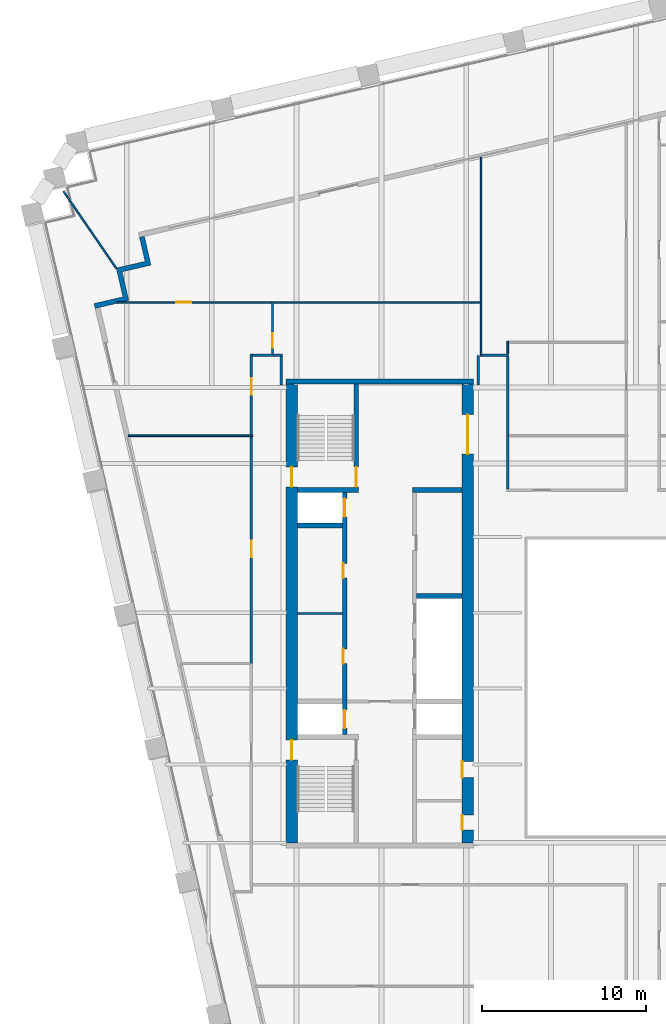
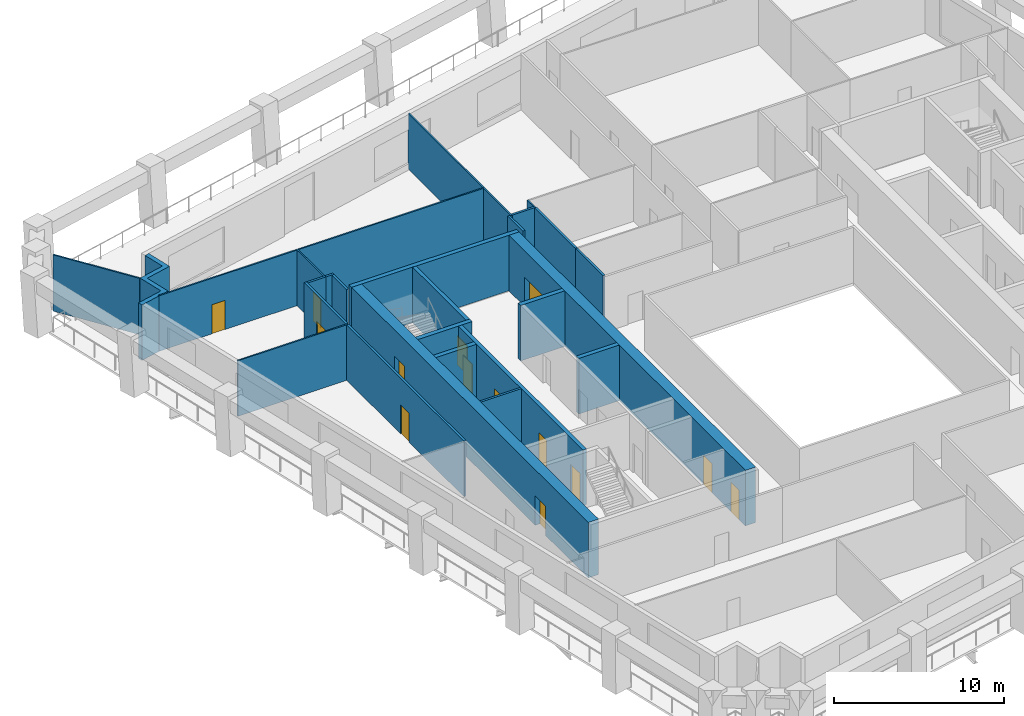
# One storey, part 6 of 11: 28 walls, 14 doors, 14 openings.
"""IFC4 building model written with IfcOpenShell, lengths in metres."""

from ifc_helpers import new_model, si_unit, direction, frame, frame_2d, origin, place, context, subcontext, project, spatial, polyline, rectangle, outline, extrude, material, layer, layer_set, type_object, element, fill, save


model = new_model("IFC4")

# Units and contexts
model_context = context("Model", 3, precision=1e-05, world=origin(), true_north=direction((0.0, 1.0)))
body_context = subcontext(model_context, "Body", "Model", "MODEL_VIEW")
ifc_project = project(units=[si_unit("LENGTHUNIT", "METRE"), si_unit("AREAUNIT", "SQUARE_METRE"), si_unit("VOLUMEUNIT", "CUBIC_METRE"), si_unit("PLANEANGLEUNIT", "RADIAN"), si_unit("MASSUNIT", "GRAM", prefix="KILO")], contexts=[model_context])

# Site, building, storey
site_placement = place(None, origin())
site = spatial("IfcSite", under=ifc_project, at=site_placement, CompositionType="ELEMENT")
building_placement = place(site_placement, origin())
building = spatial("IfcBuilding", under=site, at=building_placement, Name="Ogive Exchange Tower", CompositionType="ELEMENT")
storey_placement = place(building_placement, frame((0.0, 0.0, 209.39990234375)))
storey = spatial("IfcBuildingStorey", under=building, at=storey_placement, Name="L46", CompositionType="ELEMENT", Elevation=209.39990234375)

# Walls
ifc_material_1 = material(Name="Gypsum board partition")
ifc_layer_1 = layer(ifc_material_1, 0.14990234375)
ifc_layer_set_1 = layer_set([ifc_layer_1], Name="Core room partition 150 gypsum")
wall_type_1 = type_object("IfcWallType", Name="Core room partition 150 gypsum", PredefinedType="PARTITIONING", material=ifc_layer_set_1)
wall_1_placement = place(storey_placement, frame((-21.0, 11.5, 0.0), z_axis=(0.0, 0.0, 1.0), x_axis=(1.0, 0.0, 0.0)))
element("IfcWall", 1, at=wall_1_placement, inside=storey, type_object=wall_type_1, Name="W row A bay partition 1-1", PredefinedType="PARTITIONING", context=body_context, shape_type="SweptSolid", body=[
    extrude(rectangle(XDim=2.75, YDim=0.14990234375, at=frame_2d((1.375, 0.0))), origin(), (0.0, 0.0, 1.0), 4.0),
])
ifc_layer_2 = layer(ifc_material_1, 0.300048828125)
ifc_layer_set_2 = layer_set([ifc_layer_2], Name="Core room partition 300 gypsum")
wall_type_2 = type_object("IfcWallType", Name="Core room partition 300 gypsum", PredefinedType="PARTITIONING", material=ifc_layer_set_2)
wall_2_placement = place(storey_placement, frame((-14.0, 19.0, 0.0), z_axis=(0.0, 0.0, 1.0), x_axis=(1.0, 0.0, 0.0)))
element("IfcWall", 2, at=wall_2_placement, inside=storey, type_object=wall_type_2, Name="W row B room end wall 7", PredefinedType="PARTITIONING", context=body_context, shape_type="SweptSolid", body=[
    extrude(rectangle(XDim=3.0, YDim=0.300048828125, at=frame_2d((1.5, 0.0))), origin(), (0.0, 0.0, 1.0), 4.0),
])

# Wall, opening, door
ifc_material_2 = material(Name="Fire partition EI 60 150")
ifc_layer_3 = layer(ifc_material_2, 0.14990234375)
ifc_layer_set_3 = layer_set([ifc_layer_3], Name="Fire partition EI 60 150")
wall_type_3 = type_object("IfcWallType", Name="Fire partition EI 60 150", PredefinedType="PARTITIONING", material=ifc_layer_set_3)
wall_3_placement = place(storey_placement, frame((-23.800048828125, 8.449951171875, 0.0), z_axis=(0.0, 0.0, 1.0), x_axis=(0.0, 1.0, 0.0)))
wall_3 = element("IfcWall", 3, at=wall_3_placement, inside=storey, type_object=wall_type_3, Name="L46-PWL-004", PredefinedType="PARTITIONING", context=body_context, shape_type="SweptSolid", body=[
    extrude(rectangle(XDim=13.81005859375, YDim=0.14990234375, at=frame_2d((6.905029296875, 0.0))), origin(), (0.0, 0.0, 1.0), 4.0),
])
opening_1_placement = place(wall_3_placement, frame((6.4599609375, 0.0, 0.0)))
opening_1 = element("IfcOpeningElement", 4, at=opening_1_placement, cuts=wall_3, Name="Opening L46-I01", PredefinedType="OPENING", context=body_context, shape_type="SweptSolid", body=[
    extrude(rectangle(XDim=1.0, YDim=2.10009765625, at=frame_2d((0.5, 1.050048828125))), frame((0.0, 0.0849609375, 0.0), z_axis=(0.0, -1.0, 0.0), x_axis=(1.0, 0.0, 0.0)), (0.0, 0.0, 1.0), 0.169921875),
])
ifc_material_3 = material(Name="Fire door FD 30S 1000 x 2100")
door_type_1 = type_object("IfcDoorType", Name="Fire door FD 30S 1000 x 2100", OperationType="NOTDEFINED", PredefinedType="DOOR", material=ifc_material_3)
door_1_placement = place(opening_1_placement, origin())
door_1 = element("IfcDoor", 5, at=door_1_placement, inside=storey, type_object=door_type_1, Name="L46-IDR-001", ObjectType="DT3", OperationType="SINGLE_SWING_LEFT", OverallHeight=2.10009765625, OverallWidth=1.0, PredefinedType="DOOR", context=body_context, shape_type="SweptSolid", body=[
    extrude(rectangle(XDim=1.0, YDim=2.10009765625, at=frame_2d((0.5, 1.050048828125))), frame((0.0, 0.02490234375, 0.0), z_axis=(0.0, -1.0, 0.0), x_axis=(1.0, 0.0, 0.0)), (0.0, 0.0, 1.0), 0.050048828125),
])
fill(opening_1, door_1)

wall_4_placement = place(storey_placement, frame((-23.800048828125, 22.360107421875, 0.0), z_axis=(0.0, 0.0, 1.0), x_axis=(0.0, 1.0, 0.0)))
wall_4 = element("IfcWall", 6, at=wall_4_placement, inside=storey, type_object=wall_type_3, Name="L46-PWL-005", PredefinedType="PARTITIONING", context=body_context, shape_type="SweptSolid", body=[
    extrude(rectangle(XDim=4.914794921875, YDim=0.14990234375, at=frame_2d((2.45751953125, 0.0))), origin(), (0.0, 0.0, 1.0), 4.0),
])
opening_2_placement = place(wall_4_placement, frame((2.43994140625, 0.0, 0.0)))
opening_2 = element("IfcOpeningElement", 7, at=opening_2_placement, cuts=wall_4, Name="Opening L46-I07", PredefinedType="OPENING", context=body_context, shape_type="SweptSolid", body=[
    extrude(rectangle(XDim=1.0, YDim=2.10009765625, at=frame_2d((0.5, 1.050048828125))), frame((0.0, 0.0849609375, 0.0), z_axis=(0.0, -1.0, 0.0), x_axis=(1.0, 0.0, 0.0)), (0.0, 0.0, 1.0), 0.169921875),
])
door_2_placement = place(opening_2_placement, origin())
door_2 = element("IfcDoor", 8, at=door_2_placement, inside=storey, type_object=door_type_1, Name="L46-IDR-007", ObjectType="DT3", OperationType="SINGLE_SWING_RIGHT", OverallHeight=2.10009765625, OverallWidth=1.0, PredefinedType="DOOR", context=body_context, shape_type="SweptSolid", body=[
    extrude(rectangle(XDim=1.0, YDim=2.10009765625, at=frame_2d((0.5, 1.050048828125))), frame((0.0, 0.02490234375, 0.0), z_axis=(0.0, -1.0, 0.0), x_axis=(1.0, 0.0, 0.0)), (0.0, 0.0, 1.0), 0.050048828125),
])
fill(opening_2, door_2)

# Walls
wall_5_placement = place(storey_placement, frame((-23.72509765625, 27.199951171875, 0.0), z_axis=(0.0, 0.0, 1.0), x_axis=(1.0, 0.0, 0.0)))
element("IfcWall", 9, at=wall_5_placement, inside=storey, type_object=wall_type_3, Name="L46-PWL-006", PredefinedType="PARTITIONING", context=body_context, shape_type="SweptSolid", body=[
    extrude(rectangle(XDim=1.255126953125, YDim=0.14990234375, at=frame_2d((0.62744140625, 0.0))), origin(), (0.0, 0.0, 1.0), 4.0),
])
wall_6_placement = place(storey_placement, frame((-22.469970703125, 27.199951171875, 0.0), z_axis=(0.0, 0.0, 1.0), x_axis=(1.0, 0.0, 0.0)))
element("IfcWall", 10, at=wall_6_placement, inside=storey, type_object=wall_type_3, Name="L46-PWL-010", PredefinedType="PARTITIONING", context=body_context, shape_type="SweptSolid", body=[
    extrude(rectangle(XDim=0.544921875, YDim=0.14990234375, at=frame_2d((0.2724609375, 0.0))), origin(), (0.0, 0.0, 1.0), 4.0),
])
wall_7_placement = place(storey_placement, frame((-22.0, 27.125, 0.0), z_axis=(0.0, 0.0, 1.0), x_axis=(0.0, -1.0, 0.0)))
element("IfcWall", 11, at=wall_7_placement, inside=storey, type_object=wall_type_3, Name="L46-PWL-012", PredefinedType="PARTITIONING", context=body_context, shape_type="SweptSolid", body=[
    extrude(rectangle(XDim=1.72509765625, YDim=0.14990234375, at=frame_2d((0.862548828125, 0.0))), origin(), (0.0, 0.0, 1.0), 4.0),
])
wall_8_placement = place(storey_placement, frame((-10.0, 25.39990234375, 0.0), z_axis=(0.0, 0.0, 1.0), x_axis=(0.0, 1.0, 0.0)))
element("IfcWall", 12, at=wall_8_placement, inside=storey, type_object=wall_type_3, Name="L46-PWL-014", PredefinedType="PARTITIONING", context=body_context, shape_type="SweptSolid", body=[
    extrude(rectangle(XDim=1.800048828125, YDim=0.14990234375, at=frame_2d((0.89990234375, 0.0))), origin(), (0.0, 0.0, 1.0), 4.0),
])
wall_9_placement = place(storey_placement, frame((-9.780029296875, 27.2099609375, 0.0), z_axis=(0.0, 0.0, 1.0), x_axis=(1.0, 0.0, 0.0)))
element("IfcWall", 13, at=wall_9_placement, inside=storey, type_object=wall_type_3, Name="L46-PWL-018", PredefinedType="PARTITIONING", context=body_context, shape_type="SweptSolid", body=[
    extrude(rectangle(XDim=1.6201171875, YDim=0.14990234375, at=frame_2d((0.81005859375, 0.0))), origin(), (0.0, 0.0, 1.0), 4.0),
])
wall_10_placement = place(storey_placement, frame((-8.199951171875, 22.31005859375, 0.0), z_axis=(0.0, 0.0, 1.0), x_axis=(0.0, -1.0, 0.0)))
element("IfcWall", 14, at=wall_10_placement, inside=storey, type_object=wall_type_3, Name="L46-PWL-024", PredefinedType="PARTITIONING", context=body_context, shape_type="SweptSolid", body=[
    extrude(rectangle(XDim=3.235107421875, YDim=0.14990234375, at=frame_2d((1.61767578125, 0.0))), origin(), (0.0, 0.0, 1.0), 4.0),
])
wall_11_placement = place(storey_placement, frame((-8.199951171875, 27.125, 0.0), z_axis=(0.0, 0.0, 1.0), x_axis=(0.0, -1.0, 0.0)))
element("IfcWall", 15, at=wall_11_placement, inside=storey, type_object=wall_type_3, Name="L46-PWL-026", PredefinedType="PARTITIONING", context=body_context, shape_type="SweptSolid", body=[
    extrude(rectangle(XDim=4.81494140625, YDim=0.14990234375, at=frame_2d((2.407470703125, 0.0))), origin(), (0.0, 0.0, 1.0), 4.0),
])
ifc_material_4 = material(Name="Precast concrete C40/50", Category="concrete")
ifc_layer_4 = layer(ifc_material_4, 0.300048828125)
ifc_layer_set_4 = layer_set([ifc_layer_4], Name="Limestone-faced wall 300")
wall_type_4 = type_object("IfcWallType", Name="Limestone-faced wall 300", PredefinedType="STANDARD", material=ifc_layer_set_4)
wall_12_placement = place(storey_placement, origin())
element("IfcWall", 16, at=wall_12_placement, inside=storey, type_object=wall_type_4, Name="External corner wall C3", PredefinedType="STANDARD", context=body_context, shape_type="SweptSolid", body=[
    extrude(outline(polyline([(-31.616943359375, 30.755615234375), (-32.02197265625, 32.509521484375), (-30.26806640625, 32.914306640625), (-30.60546875, 34.3759765625), (-30.31298828125, 34.443359375), (-29.908203125, 32.689697265625), (-31.662109375, 32.28466796875), (-31.257080078125, 30.53076171875), (-33.30322265625, 30.058349609375), (-33.370849609375, 30.3505859375), (-31.616943359375, 30.755615234375)])), origin(), (0.0, 0.0, 1.0), 4.0),
])
ifc_material_5 = material(Name="Laminated safety glass in steel frame", Category="steel")
ifc_layer_5 = layer(ifc_material_5, 0.10009765625)
ifc_layer_set_5 = layer_set([ifc_layer_5], Name="Loggia end screen 100")
wall_type_5 = type_object("IfcWallType", Name="Loggia end screen 100", PredefinedType="STANDARD", material=ifc_layer_set_5)
wall_13_placement = place(storey_placement, frame((-32.02197265625, 32.509521484375, -0.0498046875), z_axis=(0.0, 0.0, 1.0), x_axis=(-0.566963777768, 0.823742723609, 0.0)))
element("IfcWall", 17, at=wall_13_placement, inside=storey, type_object=wall_type_5, Name="Loggia end screen C3", PredefinedType="STANDARD", context=body_context, shape_type="SweptSolid", body=[
    extrude(rectangle(XDim=5.66845703125, YDim=0.10009765625, at=frame_2d((2.834228515625, 0.0))), origin(), (0.0, 0.0, 1.0), 4.0498046875),
])
ifc_material_6 = material(Name="Partition 100 gypsum")
ifc_layer_6 = layer(ifc_material_6, 0.10009765625)
ifc_layer_set_6 = layer_set([ifc_layer_6], Name="Partition 100 gypsum")
wall_type_6 = type_object("IfcWallType", Name="Partition 100 gypsum", PredefinedType="PARTITIONING", material=ifc_layer_set_6)
wall_14_placement = place(storey_placement, frame((-31.2890625, 22.31005859375, 0.0), z_axis=(0.0, 0.0, 1.0), x_axis=(1.0, 0.0, 0.0)))
element("IfcWall", 18, at=wall_14_placement, inside=storey, type_object=wall_type_6, Name="L46-PWL-001", PredefinedType="PARTITIONING", context=body_context, shape_type="SweptSolid", body=[
    extrude(rectangle(XDim=7.56396484375, YDim=0.10009765625, at=frame_2d((3.781982421875, 0.0))), origin(), (0.0, 0.0, 1.0), 4.0),
])

# Wall, opening, door
wall_15_placement = place(storey_placement, frame((-22.52001953125, 27.27490234375, 0.0), z_axis=(0.0, 0.0, 1.0), x_axis=(0.0, 1.0, 0.0)))
wall_15 = element("IfcWall", 19, at=wall_15_placement, inside=storey, type_object=wall_type_6, Name="L46-PWL-009", PredefinedType="PARTITIONING", context=body_context, shape_type="SweptSolid", body=[
    extrude(rectangle(XDim=3.195068359375, YDim=0.10009765625, at=frame_2d((1.59765625, 0.0))), origin(), (0.0, 0.0, 1.0), 4.0),
])
opening_3_placement = place(wall_15_placement, frame((0.375, 0.0, 0.0)))
opening_3 = element("IfcOpeningElement", 20, at=opening_3_placement, cuts=wall_15, Name="Opening L46-I06", PredefinedType="OPENING", context=body_context, shape_type="SweptSolid", body=[
    extrude(rectangle(XDim=0.89990234375, YDim=2.10009765625, at=frame_2d((0.449951171875, 1.050048828125))), frame((0.0, 0.06005859375, 0.0), z_axis=(0.0, -1.0, 0.0), x_axis=(1.0, 0.0, 0.0)), (0.0, 0.0, 1.0), 0.1201171875),
])
ifc_material_7 = material(Name="Door 900 x 2100")
door_type_2 = type_object("IfcDoorType", Name="Door 900 x 2100", OperationType="NOTDEFINED", PredefinedType="DOOR", material=ifc_material_7)
door_3_placement = place(opening_3_placement, frame((0.89990234375, 0.0, 0.0), z_axis=(0.0, 0.0, 1.0), x_axis=(-1.0, 0.0, 0.0)))
door_3 = element("IfcDoor", 21, at=door_3_placement, inside=storey, type_object=door_type_2, Name="L46-IDR-006", ObjectType="DT1", OperationType="SINGLE_SWING_LEFT", OverallHeight=2.10009765625, OverallWidth=0.89990234375, PredefinedType="DOOR", context=body_context, shape_type="SweptSolid", body=[
    extrude(rectangle(XDim=0.89990234375, YDim=2.10009765625, at=frame_2d((0.449951171875, 1.050048828125))), frame((0.0, 0.02490234375, 0.0), z_axis=(0.0, -1.0, 0.0), x_axis=(1.0, 0.0, 0.0)), (0.0, 0.0, 1.0), 0.050048828125),
])
fill(opening_3, door_3)

wall_16_placement = place(storey_placement, frame((-22.570068359375, 30.419921875, 0.0), z_axis=(0.0, 0.0, 1.0), x_axis=(-1.0, 0.0, 0.0)))
wall_16 = element("IfcWall", 22, at=wall_16_placement, inside=storey, type_object=wall_type_6, Name="L46-PWL-011", PredefinedType="PARTITIONING", context=body_context, shape_type="SweptSolid", body=[
    extrude(rectangle(XDim=9.411865234375, YDim=0.10009765625, at=frame_2d((4.7060546875, 0.0))), origin(), (0.0, 0.0, 1.0), 4.0),
])
opening_4_placement = place(wall_16_placement, frame((4.89990234375, 0.0, 0.0)))
opening_4 = element("IfcOpeningElement", 23, at=opening_4_placement, cuts=wall_16, Name="Opening L46-I05", PredefinedType="OPENING", context=body_context, shape_type="SweptSolid", body=[
    extrude(rectangle(XDim=0.89990234375, YDim=2.10009765625, at=frame_2d((0.449951171875, 1.050048828125))), frame((0.0, 0.06005859375, 0.0), z_axis=(0.0, -1.0, 0.0), x_axis=(1.0, 0.0, 0.0)), (0.0, 0.0, 1.0), 0.1201171875),
])
door_4_placement = place(opening_4_placement, origin())
door_4 = element("IfcDoor", 24, at=door_4_placement, inside=storey, type_object=door_type_2, Name="L46-IDR-005", ObjectType="DT1", OperationType="SINGLE_SWING_RIGHT", OverallHeight=2.10009765625, OverallWidth=0.89990234375, PredefinedType="DOOR", context=body_context, shape_type="SweptSolid", body=[
    extrude(rectangle(XDim=0.89990234375, YDim=2.10009765625, at=frame_2d((0.449951171875, 1.050048828125))), frame((0.0, 0.02490234375, 0.0), z_axis=(0.0, -1.0, 0.0), x_axis=(1.0, 0.0, 0.0)), (0.0, 0.0, 1.0), 0.050048828125),
])
fill(opening_4, door_4)

# Walls
wall_17_placement = place(storey_placement, frame((-9.830078125, 27.135009765625, 0.0), z_axis=(0.0, 0.0, 1.0), x_axis=(0.0, 1.0, 0.0)))
element("IfcWall", 25, at=wall_17_placement, inside=storey, type_object=wall_type_6, Name="L46-PWL-017", PredefinedType="PARTITIONING", context=body_context, shape_type="SweptSolid", body=[
    extrude(rectangle(XDim=3.3349609375, YDim=0.10009765625, at=frame_2d((1.66748046875, 0.0))), origin(), (0.0, 0.0, 1.0), 4.0),
])
wall_18_placement = place(storey_placement, frame((-9.8798828125, 30.419921875, 0.0), z_axis=(0.0, 0.0, 1.0), x_axis=(-1.0, 0.0, 0.0)))
element("IfcWall", 26, at=wall_18_placement, inside=storey, type_object=wall_type_6, Name="L46-PWL-019", PredefinedType="PARTITIONING", context=body_context, shape_type="SweptSolid", body=[
    extrude(rectangle(XDim=12.590087890625, YDim=0.10009765625, at=frame_2d((6.294921875, 0.0))), origin(), (0.0, 0.0, 1.0), 4.0),
])
wall_19_placement = place(storey_placement, frame((-9.830078125, 30.419921875, 0.0), z_axis=(0.0, 0.0, 1.0), x_axis=(0.0, 1.0, 0.0)))
element("IfcWall", 27, at=wall_19_placement, inside=storey, type_object=wall_type_6, Name="L46-PWL-020", PredefinedType="PARTITIONING", context=body_context, shape_type="SweptSolid", body=[
    extrude(rectangle(XDim=8.8349609375, YDim=0.10009765625, at=frame_2d((4.41748046875, 0.0))), origin(), (0.0, 0.0, 1.0), 4.0),
])
wall_20_placement = place(storey_placement, frame((-8.2099609375, 27.284912109375, 0.0), z_axis=(0.0, 0.0, 1.0), x_axis=(0.0, 1.0, 0.0)))
element("IfcWall", 28, at=wall_20_placement, inside=storey, type_object=wall_type_6, Name="L46-PWL-021", PredefinedType="PARTITIONING", context=body_context, shape_type="SweptSolid", body=[
    extrude(rectangle(XDim=0.76513671875, YDim=0.10009765625, at=frame_2d((0.382568359375, 0.0))), origin(), (0.0, 0.0, 1.0), 4.0),
])

# Wall, opening, door
ifc_material_8 = material(Name="Concrete C70/85", Category="concrete")
ifc_layer_7 = layer(ifc_material_8, 0.25)
ifc_layer_set_7 = layer_set([ifc_layer_7], Name="RC core wall 250 C70/85")
wall_type_7 = type_object("IfcWallType", Name="RC core wall 250 C70/85", PredefinedType="SHEAR", material=ifc_layer_set_7)
wall_21_placement = place(storey_placement, frame((-17.425048828125, 19.14990234375, 0.0), z_axis=(0.0, 0.0, 1.0), x_axis=(0.0, 1.0, 0.0)))
wall_21 = element("IfcWall", 29, at=wall_21_placement, inside=storey, type_object=wall_type_7, Name="W stair N front wall", PredefinedType="SHEAR", context=body_context, shape_type="SweptSolid", body=[
    extrude(rectangle(XDim=6.300048828125, YDim=0.25, at=frame_2d((3.14990234375, 0.0))), origin(), (0.0, 0.0, 1.0), 4.0),
])
opening_5_placement = place(wall_21_placement, frame((0.050048828125, 0.0, 0.0)))
opening_5 = element("IfcOpeningElement", 30, at=opening_5_placement, cuts=wall_21, Name="Opening L46-C14", PredefinedType="OPENING", context=body_context, shape_type="SweptSolid", body=[
    extrude(rectangle(XDim=1.199951171875, YDim=2.10009765625, at=frame_2d((0.60009765625, 1.050048828125))), frame((0.0, 0.135009765625, 0.0), z_axis=(0.0, -1.0, 0.0), x_axis=(1.0, 0.0, 0.0)), (0.0, 0.0, 1.0), 0.27001953125),
])
ifc_material_9 = material(Name="Steel fire door", Category="steel")
door_type_3 = type_object("IfcDoorType", Name="Stair door FD90 1200 x 2100", OperationType="NOTDEFINED", PredefinedType="DOOR", material=ifc_material_9)
door_5_placement = place(opening_5_placement, origin())
door_5 = element("IfcDoor", 31, at=door_5_placement, inside=storey, type_object=door_type_3, Name="Stair door", ObjectType="CD5", OperationType="SINGLE_SWING_RIGHT", OverallHeight=2.10009765625, OverallWidth=1.199951171875, PredefinedType="DOOR", context=body_context, shape_type="SweptSolid", body=[
    extrude(rectangle(XDim=1.199951171875, YDim=2.10009765625, at=frame_2d((0.60009765625, 1.050048828125))), frame((0.0, 0.02490234375, 0.0), z_axis=(0.0, -1.0, 0.0), x_axis=(1.0, 0.0, 0.0)), (0.0, 0.0, 1.0), 0.050048828125),
])
fill(opening_5, door_5)

# Wall, openings, doors
wall_22_placement = place(storey_placement, frame((-18.125, 4.14990234375, 0.0), z_axis=(0.0, 0.0, 1.0), x_axis=(0.0, 1.0, 0.0)))
wall_22 = element("IfcWall", 32, at=wall_22_placement, inside=storey, type_object=wall_type_7, Name="W row A front wall", PredefinedType="SHEAR", context=body_context, shape_type="SweptSolid", body=[
    extrude(rectangle(XDim=14.7001953125, YDim=0.25, at=frame_2d((7.35009765625, 0.0))), origin(), (0.0, 0.0, 1.0), 4.0),
])
opening_6_placement = place(wall_22_placement, frame((4.29638671875, 0.0, 0.0)))
opening_6 = element("IfcOpeningElement", 33, at=opening_6_placement, cuts=wall_22, Name="Opening L46-C01", PredefinedType="OPENING", context=body_context, shape_type="SweptSolid", body=[
    extrude(rectangle(XDim=0.89990234375, YDim=2.10009765625, at=frame_2d((0.449951171875, 1.050048828125))), frame((0.0, 0.135009765625, 0.0), z_axis=(0.0, -1.0, 0.0), x_axis=(1.0, 0.0, 0.0)), (0.0, 0.0, 1.0), 0.27001953125),
])
opening_7_placement = place(wall_22_placement, frame((9.503662109375, 0.0, 0.0)))
opening_7 = element("IfcOpeningElement", 34, at=opening_7_placement, cuts=wall_22, Name="Opening L46-C02", PredefinedType="OPENING", context=body_context, shape_type="SweptSolid", body=[
    extrude(rectangle(XDim=0.89990234375, YDim=2.10009765625, at=frame_2d((0.449951171875, 1.050048828125))), frame((0.0, 0.135009765625, 0.0), z_axis=(0.0, -1.0, 0.0), x_axis=(1.0, 0.0, 0.0)), (0.0, 0.0, 1.0), 0.27001953125),
])
opening_8_placement = place(wall_22_placement, frame((0.371337890625, 0.0, 0.0)))
opening_8 = element("IfcOpeningElement", 35, at=opening_8_placement, cuts=wall_22, Name="Opening L46-C03", PredefinedType="OPENING", context=body_context, shape_type="SweptSolid", body=[
    extrude(rectangle(XDim=1.10009765625, YDim=2.10009765625, at=frame_2d((0.550048828125, 1.050048828125))), frame((0.0, 0.135009765625, 0.0), z_axis=(0.0, -1.0, 0.0), x_axis=(1.0, 0.0, 0.0)), (0.0, 0.0, 1.0), 0.27001953125),
])
opening_9_placement = place(wall_22_placement, frame((13.228515625, 0.0, 0.0)))
opening_9 = element("IfcOpeningElement", 36, at=opening_9_placement, cuts=wall_22, Name="Opening L46-C04", PredefinedType="OPENING", context=body_context, shape_type="SweptSolid", body=[
    extrude(rectangle(XDim=1.10009765625, YDim=2.10009765625, at=frame_2d((0.550048828125, 1.050048828125))), frame((0.0, 0.135009765625, 0.0), z_axis=(0.0, -1.0, 0.0), x_axis=(1.0, 0.0, 0.0)), (0.0, 0.0, 1.0), 0.27001953125),
])
ifc_material_10 = material(Name="Stainless steel", Category="steel")
door_type_4 = type_object("IfcDoorType", Name="Lift landing door FD90 1100 x 2100", OperationType="SLIDING_TO_LEFT", PredefinedType="DOOR", material=ifc_material_10)
door_6_placement = place(opening_8_placement, origin())
door_6 = element("IfcDoor", 37, at=door_6_placement, inside=storey, type_object=door_type_4, Name="Lift landing door FF1", ObjectType="LD", OperationType="SLIDING_TO_LEFT", OverallHeight=2.10009765625, OverallWidth=1.10009765625, PredefinedType="DOOR", context=body_context, shape_type="SweptSolid", body=[
    extrude(rectangle(XDim=1.10009765625, YDim=2.10009765625, at=frame_2d((0.550048828125, 1.050048828125))), frame((0.0, 0.02490234375, 0.0), z_axis=(0.0, -1.0, 0.0), x_axis=(1.0, 0.0, 0.0)), (0.0, 0.0, 1.0), 0.050048828125),
])
fill(opening_8, door_6)
door_7_placement = place(opening_9_placement, origin())
door_7 = element("IfcDoor", 38, at=door_7_placement, inside=storey, type_object=door_type_4, Name="Lift landing door W-SH2", ObjectType="LD", OperationType="SLIDING_TO_LEFT", OverallHeight=2.10009765625, OverallWidth=1.10009765625, PredefinedType="DOOR", context=body_context, shape_type="SweptSolid", body=[
    extrude(rectangle(XDim=1.10009765625, YDim=2.10009765625, at=frame_2d((0.550048828125, 1.050048828125))), frame((0.0, 0.02490234375, 0.0), z_axis=(0.0, -1.0, 0.0), x_axis=(1.0, 0.0, 0.0)), (0.0, 0.0, 1.0), 0.050048828125),
])
fill(opening_9, door_7)
door_type_5 = type_object("IfcDoorType", Name="Riser door FD60 900 x 2100", OperationType="NOTDEFINED", PredefinedType="DOOR", material=ifc_material_9)
door_8_placement = place(opening_6_placement, origin())
door_8 = element("IfcDoor", 39, at=door_8_placement, inside=storey, type_object=door_type_5, Name="Riser door", ObjectType="CD2", OperationType="SINGLE_SWING_LEFT", OverallHeight=2.10009765625, OverallWidth=0.89990234375, PredefinedType="DOOR", context=body_context, shape_type="SweptSolid", body=[
    extrude(rectangle(XDim=0.89990234375, YDim=2.10009765625, at=frame_2d((0.449951171875, 1.050048828125))), frame((0.0, 0.125, 0.0), z_axis=(0.0, -1.0, 0.0), x_axis=(1.0, 0.0, 0.0)), (0.0, 0.0, 1.0), 0.050048828125),
])
fill(opening_6, door_8)
door_9_placement = place(opening_7_placement, origin())
door_9 = element("IfcDoor", 40, at=door_9_placement, inside=storey, type_object=door_type_5, Name="Riser door", ObjectType="CD2", OperationType="SINGLE_SWING_LEFT", OverallHeight=2.10009765625, OverallWidth=0.89990234375, PredefinedType="DOOR", context=body_context, shape_type="SweptSolid", body=[
    extrude(rectangle(XDim=0.89990234375, YDim=2.10009765625, at=frame_2d((0.449951171875, 1.050048828125))), frame((0.0, 0.125, 0.0), z_axis=(0.0, -1.0, 0.0), x_axis=(1.0, 0.0, 0.0)), (0.0, 0.0, 1.0), 0.050048828125),
])
fill(opening_7, door_9)

# Walls
ifc_layer_8 = layer(ifc_material_8, 0.300048828125)
ifc_layer_set_8 = layer_set([ifc_layer_8], Name="RC core wall 300 C70/85")
wall_type_8 = type_object("IfcWallType", Name="RC core wall 300 C70/85", PredefinedType="SHEAR", material=ifc_layer_set_8)
wall_23_placement = place(storey_placement, frame((-21.699951171875, 25.60009765625, 0.0), z_axis=(0.0, 0.0, 1.0), x_axis=(1.0, 0.0, 0.0)))
element("IfcWall", 41, at=wall_23_placement, inside=storey, type_object=wall_type_8, Name="W north end wall", PredefinedType="SHEAR", context=body_context, shape_type="SweptSolid", body=[
    extrude(rectangle(XDim=11.39990234375, YDim=0.300048828125, at=frame_2d((5.699951171875, 0.0))), origin(), (0.0, 0.0, 1.0), 4.0),
])
wall_24_placement = place(storey_placement, frame((-21.0, 19.0, 0.0), z_axis=(0.0, 0.0, 1.0), x_axis=(1.0, 0.0, 0.0)))
element("IfcWall", 42, at=wall_24_placement, inside=storey, type_object=wall_type_8, Name="W stair N south wall", PredefinedType="SHEAR", context=body_context, shape_type="SweptSolid", body=[
    extrude(rectangle(XDim=3.699951171875, YDim=0.300048828125, at=frame_2d((1.85009765625, 0.0))), origin(), (0.0, 0.0, 1.0), 4.0),
])
for number, where, z_axis, x_axis, name in (
    (43, (-21.0, 16.857177734375, 0.0), (0.0, 0.0, 1.0), (1.0, 0.0, 0.0), "W row A divider 6"),
    (44, (-13.75, 12.5712890625, 0.0), (0.0, 0.0, 1.0), (1.0, 0.0, 0.0), "W row B divider 4"),
):
    element("IfcWall", number, at=place(storey_placement, frame(where, z_axis=z_axis, x_axis=x_axis)), inside=storey, type_object=wall_type_8, Name=name, PredefinedType="SHEAR", context=body_context, shape_type="SweptSolid", body=[
        extrude(rectangle(XDim=2.75, YDim=0.300048828125, at=frame_2d((1.375, 0.0))), origin(), (0.0, 0.0, 1.0), 4.0),
    ])

# Wall, openings, doors
ifc_layer_9 = layer(ifc_material_8, 0.699951171875)
ifc_layer_set_9 = layer_set([ifc_layer_9], Name="RC core wall 700 C70/85")
wall_type_9 = type_object("IfcWallType", Name="RC core wall 700 C70/85", PredefinedType="SHEAR", material=ifc_layer_set_9)
wall_25_placement = place(storey_placement, frame((-21.35009765625, -2.449951171875, 0.0), z_axis=(0.0, 0.0, 1.0), x_axis=(0.0, 1.0, 0.0)))
wall_25 = element("IfcWall", 45, at=wall_25_placement, inside=storey, type_object=wall_type_9, Name="W outer wall", PredefinedType="SHEAR", context=body_context, shape_type="SweptSolid", body=[
    extrude(rectangle(XDim=27.89990234375, YDim=0.699951171875, at=frame_2d((13.949951171875, 0.0))), origin(), (0.0, 0.0, 1.0), 4.0),
])
opening_10_placement = place(wall_25_placement, frame((5.050048828125, 0.0, 0.0)))
opening_10 = element("IfcOpeningElement", 46, at=opening_10_placement, cuts=wall_25, Name="Opening L46-C13", PredefinedType="OPENING", context=body_context, shape_type="SweptSolid", body=[
    extrude(rectangle(XDim=1.199951171875, YDim=2.10009765625, at=frame_2d((0.60009765625, 1.050048828125))), frame((0.0, 0.35986328125, 0.0), z_axis=(0.0, -1.0, 0.0), x_axis=(1.0, 0.0, 0.0)), (0.0, 0.0, 1.0), 0.719970703125),
])
opening_11_placement = place(wall_25_placement, frame((21.64990234375, 0.0, 0.0)))
opening_11 = element("IfcOpeningElement", 47, at=opening_11_placement, cuts=wall_25, Name="Opening L46-C15", PredefinedType="OPENING", context=body_context, shape_type="SweptSolid", body=[
    extrude(rectangle(XDim=1.199951171875, YDim=2.10009765625, at=frame_2d((0.60009765625, 1.050048828125))), frame((0.0, 0.35986328125, 0.0), z_axis=(0.0, -1.0, 0.0), x_axis=(1.0, 0.0, 0.0)), (0.0, 0.0, 1.0), 0.719970703125),
])
door_10_placement = place(opening_10_placement, frame((1.199951171875, 0.0, 0.0), z_axis=(0.0, 0.0, 1.0), x_axis=(-1.0, 0.0, 0.0)))
door_10 = element("IfcDoor", 48, at=door_10_placement, inside=storey, type_object=door_type_3, Name="Stair door", ObjectType="CD5", OperationType="SINGLE_SWING_RIGHT", OverallHeight=2.10009765625, OverallWidth=1.199951171875, PredefinedType="DOOR", context=body_context, shape_type="SweptSolid", body=[
    extrude(rectangle(XDim=1.199951171875, YDim=2.10009765625, at=frame_2d((0.60009765625, 1.050048828125))), frame((0.0, 0.02490234375, 0.0), z_axis=(0.0, -1.0, 0.0), x_axis=(1.0, 0.0, 0.0)), (0.0, 0.0, 1.0), 0.050048828125),
])
fill(opening_10, door_10)
door_11_placement = place(opening_11_placement, frame((1.199951171875, 0.0, 0.0), z_axis=(0.0, 0.0, 1.0), x_axis=(-1.0, 0.0, 0.0)))
door_11 = element("IfcDoor", 49, at=door_11_placement, inside=storey, type_object=door_type_3, Name="Stair door", ObjectType="CD5", OperationType="SINGLE_SWING_LEFT", OverallHeight=2.10009765625, OverallWidth=1.199951171875, PredefinedType="DOOR", context=body_context, shape_type="SweptSolid", body=[
    extrude(rectangle(XDim=1.199951171875, YDim=2.10009765625, at=frame_2d((0.60009765625, 1.050048828125))), frame((0.0, 0.02490234375, 0.0), z_axis=(0.0, -1.0, 0.0), x_axis=(1.0, 0.0, 0.0)), (0.0, 0.0, 1.0), 0.050048828125),
])
fill(opening_11, door_11)

wall_26_placement = place(storey_placement, frame((-10.64990234375, -2.449951171875, 0.0), z_axis=(0.0, 0.0, 1.0), x_axis=(0.0, 1.0, 0.0)))
wall_26 = element("IfcWall", 50, at=wall_26_placement, inside=storey, type_object=wall_type_9, Name="W inner wall", PredefinedType="SHEAR", context=body_context, shape_type="SweptSolid", body=[
    extrude(rectangle(XDim=27.89990234375, YDim=0.699951171875, at=frame_2d((13.949951171875, 0.0))), origin(), (0.0, 0.0, 1.0), 4.0),
])
opening_12_placement = place(wall_26_placement, frame((23.64990234375, 0.0, 0.0)))
opening_12 = element("IfcOpeningElement", 51, at=opening_12_placement, cuts=wall_26, Name="Opening L46-C11", PredefinedType="OPENING", context=body_context, shape_type="SweptSolid", body=[
    extrude(rectangle(XDim=2.39990234375, YDim=2.10009765625, at=frame_2d((1.199951171875, 1.050048828125))), frame((0.0, 0.35986328125, 0.0), z_axis=(0.0, -1.0, 0.0), x_axis=(1.0, 0.0, 0.0)), (0.0, 0.0, 1.0), 0.719970703125),
])
opening_13_placement = place(wall_26_placement, frame((0.78759765625, 0.0, 0.0)))
opening_13 = element("IfcOpeningElement", 52, at=opening_13_placement, cuts=wall_26, Name="Opening L46-C16", PredefinedType="OPENING", context=body_context, shape_type="SweptSolid", body=[
    extrude(rectangle(XDim=0.89990234375, YDim=2.10009765625, at=frame_2d((0.449951171875, 1.050048828125))), frame((0.0, 0.35986328125, 0.0), z_axis=(0.0, -1.0, 0.0), x_axis=(1.0, 0.0, 0.0)), (0.0, 0.0, 1.0), 0.719970703125),
])
opening_14_placement = place(wall_26_placement, frame((3.96240234375, 0.0, 0.0)))
opening_14 = element("IfcOpeningElement", 53, at=opening_14_placement, cuts=wall_26, Name="Opening L46-C17", PredefinedType="OPENING", context=body_context, shape_type="SweptSolid", body=[
    extrude(rectangle(XDim=1.0, YDim=2.10009765625, at=frame_2d((0.5, 1.050048828125))), frame((0.0, 0.35986328125, 0.0), z_axis=(0.0, -1.0, 0.0), x_axis=(1.0, 0.0, 0.0)), (0.0, 0.0, 1.0), 0.719970703125),
])
ifc_material_11 = material(Name="Timber fire door", Category="wood")
door_type_6 = type_object("IfcDoorType", Name="Accessible WC door FD30S 1000 x 2100", OperationType="NOTDEFINED", PredefinedType="DOOR", material=ifc_material_11)
door_12_placement = place(opening_14_placement, origin())
door_12 = element("IfcDoor", 54, at=door_12_placement, inside=storey, type_object=door_type_6, Name="Accessible WC door", ObjectType="CD7", OperationType="SINGLE_SWING_LEFT", OverallHeight=2.10009765625, OverallWidth=1.0, PredefinedType="DOOR", context=body_context, shape_type="SweptSolid", body=[
    extrude(rectangle(XDim=1.0, YDim=2.10009765625, at=frame_2d((0.5, 1.050048828125))), frame((0.0, 0.35009765625, 0.0), z_axis=(0.0, -1.0, 0.0), x_axis=(1.0, 0.0, 0.0)), (0.0, 0.0, 1.0), 0.050048828125),
])
fill(opening_14, door_12)
door_type_7 = type_object("IfcDoorType", Name="Core room door FD30S 900 x 2100", OperationType="NOTDEFINED", PredefinedType="DOOR", material=ifc_material_11)
door_13_placement = place(opening_13_placement, origin())
door_13 = element("IfcDoor", 55, at=door_13_placement, inside=storey, type_object=door_type_7, Name="Core room door", ObjectType="CD6", OperationType="SINGLE_SWING_LEFT", OverallHeight=2.10009765625, OverallWidth=0.89990234375, PredefinedType="DOOR", context=body_context, shape_type="SweptSolid", body=[
    extrude(rectangle(XDim=0.89990234375, YDim=2.10009765625, at=frame_2d((0.449951171875, 1.050048828125))), frame((0.0, 0.35009765625, 0.0), z_axis=(0.0, -1.0, 0.0), x_axis=(1.0, 0.0, 0.0)), (0.0, 0.0, 1.0), 0.050048828125),
])
fill(opening_13, door_13)
ifc_material_12 = material(Name="Glazed steel fire door", Category="steel")
door_type_8 = type_object("IfcDoorType", Name="Lift lobby double door FD60 2400 x 2100", OperationType="DOUBLE_DOOR_SINGLE_SWING", PredefinedType="DOOR", material=ifc_material_12)
door_14_placement = place(opening_12_placement, frame((2.39990234375, 0.0, 0.0), z_axis=(0.0, 0.0, 1.0), x_axis=(-1.0, 0.0, 0.0)))
door_14 = element("IfcDoor", 56, at=door_14_placement, inside=storey, type_object=door_type_8, Name="Lift lobby double door", ObjectType="CD4", OperationType="DOUBLE_DOOR_SINGLE_SWING", OverallHeight=2.10009765625, OverallWidth=2.39990234375, PredefinedType="DOOR", context=body_context, shape_type="SweptSolid", body=[
    extrude(rectangle(XDim=2.39990234375, YDim=2.10009765625, at=frame_2d((1.199951171875, 1.050048828125))), frame((0.0, 0.02490234375, 0.0), z_axis=(0.0, -1.0, 0.0), x_axis=(1.0, 0.0, 0.0)), (0.0, 0.0, 1.0), 0.050048828125),
])
fill(opening_12, door_14)

save(model, "model.ifc")
